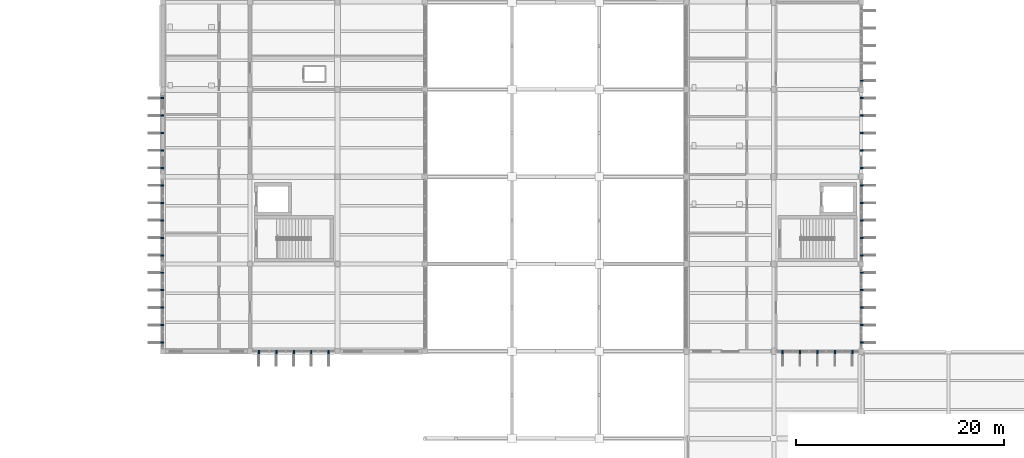
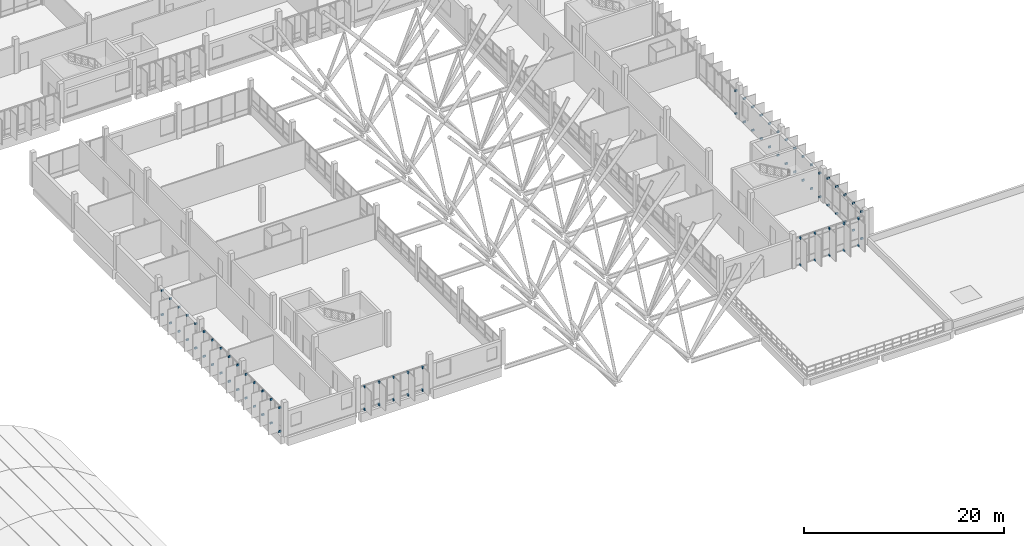
# One storey, part 99 of 107: 82 discrete accessories.
"""IFC4 building model written with IfcOpenShell, lengths in metres."""

from ifc_helpers import new_model, si_unit, direction, frame, origin, origin_2d, place, context, subcontext, project, spatial, rectangle, extrude, material, type_object, element, save


model = new_model("IFC4")

# Units and contexts
model_context = context("Model", 3, precision=1e-05, world=origin(), true_north=direction((0.0, 1.0)))
body_context = subcontext(model_context, "Body", "Model", "MODEL_VIEW")
ifc_project = project(units=[si_unit("LENGTHUNIT", "METRE"), si_unit("AREAUNIT", "SQUARE_METRE"), si_unit("VOLUMEUNIT", "CUBIC_METRE"), si_unit("PLANEANGLEUNIT", "RADIAN"), si_unit("MASSUNIT", "GRAM", prefix="KILO")], contexts=[model_context])

# Site, building, storey
site_placement = place(None, origin())
site = spatial("IfcSite", under=ifc_project, at=site_placement, CompositionType="ELEMENT")
building_placement = place(site_placement, origin())
building = spatial("IfcBuilding", under=site, at=building_placement, Name="Vireocrest Preparatory School", CompositionType="ELEMENT")
storey_placement = place(building_placement, frame((0.0, 0.0, 13.199951171875)))
storey = spatial("IfcBuildingStorey", under=building, at=storey_placement, Name="L03", CompositionType="ELEMENT", Elevation=13.199951171875)

# Discrete accessories
ifc_material = material(Name="Structural steel ASTM A572 Grade 50", Category="steel")
discrete_accessory_type = type_object("IfcDiscreteAccessoryType", Name="Slab-Edge Steel Outrigger Fin Bracket", PredefinedType="BRACKET", material=ifc_material)
for number, where, z_axis, x_axis, name in (
    (1, (41.929931640625, 36.239990234375, -0.08984375), (0.0, 0.0, 1.0), (0.0, 1.0, 0.0), "Solar Fin Outrigger Bracket BK1 L03-36-1-BOT"),
    (2, (41.929931640625, 36.239990234375, 2.81005859375), (0.0, 0.0, 1.0), (0.0, 1.0, 0.0), "Solar Fin Outrigger Bracket BK1 L03-36-1-TOP"),
    (3, (41.929931640625, 37.919921875, -0.08984375), (0.0, 0.0, 1.0), (0.0, 1.0, 0.0), "Solar Fin Outrigger Bracket BK1 L03-36-2-BOT"),
    (4, (41.929931640625, 37.919921875, 2.81005859375), (0.0, 0.0, 1.0), (0.0, 1.0, 0.0), "Solar Fin Outrigger Bracket BK1 L03-36-2-TOP"),
    (5, (41.929931640625, 39.60009765625, -0.08984375), (0.0, 0.0, 1.0), (0.0, 1.0, 0.0), "Solar Fin Outrigger Bracket BK1 L03-36-3-BOT"),
    (6, (41.929931640625, 39.60009765625, 2.81005859375), (0.0, 0.0, 1.0), (0.0, 1.0, 0.0), "Solar Fin Outrigger Bracket BK1 L03-36-3-TOP"),
    (7, (41.929931640625, 41.280029296875, -0.08984375), (0.0, 0.0, 1.0), (0.0, 1.0, 0.0), "Solar Fin Outrigger Bracket BK1 L03-36-4-BOT"),
    (8, (41.929931640625, 41.280029296875, 2.81005859375), (0.0, 0.0, 1.0), (0.0, 1.0, 0.0), "Solar Fin Outrigger Bracket BK1 L03-36-4-TOP"),
    (9, (41.929931640625, 42.9599609375, -0.08984375), (0.0, 0.0, 1.0), (0.0, 1.0, 0.0), "Solar Fin Outrigger Bracket BK1 L03-36-5-BOT"),
    (10, (41.929931640625, 42.9599609375, 2.81005859375), (0.0, 0.0, 1.0), (0.0, 1.0, 0.0), "Solar Fin Outrigger Bracket BK1 L03-36-5-TOP"),
    (11, (41.929931640625, 44.639892578125, -0.08984375), (0.0, 0.0, 1.0), (0.0, 1.0, 0.0), "Solar Fin Outrigger Bracket BK1 L03-37-1-BOT"),
    (12, (41.929931640625, 44.639892578125, 2.93994140625), (0.0, 0.0, 1.0), (0.0, 1.0, 0.0), "Solar Fin Outrigger Bracket BK1 L03-37-1-TOP"),
    (13, (41.929931640625, 46.320068359375, -0.08984375), (0.0, 0.0, 1.0), (0.0, 1.0, 0.0), "Solar Fin Outrigger Bracket BK1 L03-37-2-BOT"),
    (14, (41.929931640625, 46.320068359375, 2.93994140625), (0.0, 0.0, 1.0), (0.0, 1.0, 0.0), "Solar Fin Outrigger Bracket BK1 L03-37-2-TOP"),
    (15, (41.929931640625, 48.0, -0.08984375), (0.0, 0.0, 1.0), (0.0, 1.0, 0.0), "Solar Fin Outrigger Bracket BK1 L03-37-3-BOT"),
    (16, (41.929931640625, 48.0, 2.93994140625), (0.0, 0.0, 1.0), (0.0, 1.0, 0.0), "Solar Fin Outrigger Bracket BK1 L03-37-3-TOP"),
    (17, (41.929931640625, 49.679931640625, -0.08984375), (0.0, 0.0, 1.0), (0.0, 1.0, 0.0), "Solar Fin Outrigger Bracket BK1 L03-37-4-BOT"),
    (18, (41.929931640625, 49.679931640625, 2.93994140625), (0.0, 0.0, 1.0), (0.0, 1.0, 0.0), "Solar Fin Outrigger Bracket BK1 L03-37-4-TOP"),
    (19, (41.929931640625, 51.360107421875, -0.08984375), (0.0, 0.0, 1.0), (0.0, 1.0, 0.0), "Solar Fin Outrigger Bracket BK1 L03-37-5-BOT"),
    (20, (41.929931640625, 51.360107421875, 2.93994140625), (0.0, 0.0, 1.0), (0.0, 1.0, 0.0), "Solar Fin Outrigger Bracket BK1 L03-37-5-TOP"),
    (21, (41.929931640625, 53.0400390625, -0.08984375), (0.0, 0.0, 1.0), (0.0, 1.0, 0.0), "Solar Fin Outrigger Bracket BK1 L03-38-1-BOT"),
    (22, (41.929931640625, 53.0400390625, 2.89013671875), (0.0, 0.0, 1.0), (0.0, 1.0, 0.0), "Solar Fin Outrigger Bracket BK1 L03-38-1-TOP"),
    (23, (41.929931640625, 54.719970703125, -0.08984375), (0.0, 0.0, 1.0), (0.0, 1.0, 0.0), "Solar Fin Outrigger Bracket BK1 L03-38-2-BOT"),
    (24, (41.929931640625, 54.719970703125, 2.89013671875), (0.0, 0.0, 1.0), (0.0, 1.0, 0.0), "Solar Fin Outrigger Bracket BK1 L03-38-2-TOP"),
    (25, (41.929931640625, 56.39990234375, -0.08984375), (0.0, 0.0, 1.0), (0.0, 1.0, 0.0), "Solar Fin Outrigger Bracket BK1 L03-38-3-BOT"),
    (26, (41.929931640625, 56.39990234375, 2.89013671875), (0.0, 0.0, 1.0), (0.0, 1.0, 0.0), "Solar Fin Outrigger Bracket BK1 L03-38-3-TOP"),
    (27, (41.929931640625, 58.080078125, -0.08984375), (0.0, 0.0, 1.0), (0.0, 1.0, 0.0), "Solar Fin Outrigger Bracket BK1 L03-38-4-BOT"),
    (28, (41.929931640625, 58.080078125, 2.89013671875), (0.0, 0.0, 1.0), (0.0, 1.0, 0.0), "Solar Fin Outrigger Bracket BK1 L03-38-4-TOP"),
    (29, (41.929931640625, 59.760009765625, -0.08984375), (0.0, 0.0, 1.0), (0.0, 1.0, 0.0), "Solar Fin Outrigger Bracket BK1 L03-38-5-BOT"),
    (30, (41.929931640625, 59.760009765625, 2.89013671875), (0.0, 0.0, 1.0), (0.0, 1.0, 0.0), "Solar Fin Outrigger Bracket BK1 L03-38-5-TOP"),
    (31, (51.239990234375, 35.330078125, -0.08984375), (0.0, 0.0, 1.0), (-1.0, 0.0, 0.0), "Solar Fin Outrigger Bracket BK1 L03-39-1-BOT"),
    (32, (51.239990234375, 35.330078125, 2.66015625), (0.0, 0.0, 1.0), (-1.0, 0.0, 0.0), "Solar Fin Outrigger Bracket BK1 L03-39-1-TOP"),
    (33, (52.919921875, 35.330078125, -0.08984375), (0.0, 0.0, 1.0), (-1.0, 0.0, 0.0), "Solar Fin Outrigger Bracket BK1 L03-39-2-BOT"),
    (34, (52.919921875, 35.330078125, 2.66015625), (0.0, 0.0, 1.0), (-1.0, 0.0, 0.0), "Solar Fin Outrigger Bracket BK1 L03-39-2-TOP"),
    (35, (54.60009765625, 35.330078125, -0.08984375), (0.0, 0.0, 1.0), (-1.0, 0.0, 0.0), "Solar Fin Outrigger Bracket BK1 L03-39-3-BOT"),
    (36, (54.60009765625, 35.330078125, 2.66015625), (0.0, 0.0, 1.0), (-1.0, 0.0, 0.0), "Solar Fin Outrigger Bracket BK1 L03-39-3-TOP"),
    (37, (56.280029296875, 35.330078125, -0.08984375), (0.0, 0.0, 1.0), (-1.0, 0.0, 0.0), "Solar Fin Outrigger Bracket BK1 L03-39-4-BOT"),
    (38, (56.280029296875, 35.330078125, 2.66015625), (0.0, 0.0, 1.0), (-1.0, 0.0, 0.0), "Solar Fin Outrigger Bracket BK1 L03-39-4-TOP"),
    (39, (57.9599609375, 35.330078125, -0.08984375), (0.0, 0.0, 1.0), (-1.0, 0.0, 0.0), "Solar Fin Outrigger Bracket BK1 L03-39-5-BOT"),
    (40, (57.9599609375, 35.330078125, 2.66015625), (0.0, 0.0, 1.0), (-1.0, 0.0, 0.0), "Solar Fin Outrigger Bracket BK1 L03-39-5-TOP"),
    (41, (101.639892578125, 35.330078125, -0.08984375), (0.0, 0.0, 1.0), (-1.0, 0.0, 0.0), "Solar Fin Outrigger Bracket BK1 L03-45-1-BOT"),
    (42, (101.639892578125, 35.330078125, 3.2099609375), (0.0, 0.0, 1.0), (-1.0, 0.0, 0.0), "Solar Fin Outrigger Bracket BK1 L03-45-1-TOP"),
    (43, (103.320068359375, 35.330078125, -0.08984375), (0.0, 0.0, 1.0), (-1.0, 0.0, 0.0), "Solar Fin Outrigger Bracket BK1 L03-45-2-BOT"),
    (44, (103.320068359375, 35.330078125, 3.2099609375), (0.0, 0.0, 1.0), (-1.0, 0.0, 0.0), "Solar Fin Outrigger Bracket BK1 L03-45-2-TOP"),
    (45, (105.0, 35.330078125, -0.08984375), (0.0, 0.0, 1.0), (-1.0, 0.0, 0.0), "Solar Fin Outrigger Bracket BK1 L03-45-3-BOT"),
    (46, (105.0, 35.330078125, 3.2099609375), (0.0, 0.0, 1.0), (-1.0, 0.0, 0.0), "Solar Fin Outrigger Bracket BK1 L03-45-3-TOP"),
    (47, (106.679931640625, 35.330078125, -0.08984375), (0.0, 0.0, 1.0), (-1.0, 0.0, 0.0), "Solar Fin Outrigger Bracket BK1 L03-45-4-BOT"),
    (48, (106.679931640625, 35.330078125, 3.2099609375), (0.0, 0.0, 1.0), (-1.0, 0.0, 0.0), "Solar Fin Outrigger Bracket BK1 L03-45-4-TOP"),
    (49, (108.360107421875, 35.330078125, -0.08984375), (0.0, 0.0, 1.0), (-1.0, 0.0, 0.0), "Solar Fin Outrigger Bracket BK1 L03-45-5-BOT"),
    (50, (108.360107421875, 35.330078125, 3.2099609375), (0.0, 0.0, 1.0), (-1.0, 0.0, 0.0), "Solar Fin Outrigger Bracket BK1 L03-45-5-TOP"),
    (51, (109.27001953125, 36.239990234375, -0.08984375), (0.0, 0.0, 1.0), (0.0, -1.0, 0.0), "Solar Fin Outrigger Bracket BK1 L03-46-1-BOT"),
    (52, (109.27001953125, 36.239990234375, 3.2099609375), (0.0, 0.0, 1.0), (0.0, -1.0, 0.0), "Solar Fin Outrigger Bracket BK1 L03-46-1-TOP"),
    (53, (109.27001953125, 37.919921875, -0.08984375), (0.0, 0.0, 1.0), (0.0, -1.0, 0.0), "Solar Fin Outrigger Bracket BK1 L03-46-2-BOT"),
    (54, (109.27001953125, 37.919921875, 3.2099609375), (0.0, 0.0, 1.0), (0.0, -1.0, 0.0), "Solar Fin Outrigger Bracket BK1 L03-46-2-TOP"),
    (55, (109.27001953125, 39.60009765625, -0.08984375), (0.0, 0.0, 1.0), (0.0, -1.0, 0.0), "Solar Fin Outrigger Bracket BK1 L03-46-3-BOT"),
    (56, (109.27001953125, 39.60009765625, 3.2099609375), (0.0, 0.0, 1.0), (0.0, -1.0, 0.0), "Solar Fin Outrigger Bracket BK1 L03-46-3-TOP"),
    (57, (109.27001953125, 41.280029296875, -0.08984375), (0.0, 0.0, 1.0), (0.0, -1.0, 0.0), "Solar Fin Outrigger Bracket BK1 L03-46-4-BOT"),
    (58, (109.27001953125, 41.280029296875, 3.2099609375), (0.0, 0.0, 1.0), (0.0, -1.0, 0.0), "Solar Fin Outrigger Bracket BK1 L03-46-4-TOP"),
    (59, (109.27001953125, 42.9599609375, -0.08984375), (0.0, 0.0, 1.0), (0.0, -1.0, 0.0), "Solar Fin Outrigger Bracket BK1 L03-46-5-BOT"),
    (60, (109.27001953125, 42.9599609375, 3.2099609375), (0.0, 0.0, 1.0), (0.0, -1.0, 0.0), "Solar Fin Outrigger Bracket BK1 L03-46-5-TOP"),
    (61, (109.27001953125, 44.639892578125, -0.08984375), (0.0, 0.0, 1.0), (0.0, -1.0, 0.0), "Solar Fin Outrigger Bracket BK1 L03-47-1-BOT"),
    (62, (109.27001953125, 44.639892578125, 2.81982421875), (0.0, 0.0, 1.0), (0.0, -1.0, 0.0), "Solar Fin Outrigger Bracket BK1 L03-47-1-TOP"),
    (63, (109.27001953125, 46.320068359375, -0.08984375), (0.0, 0.0, 1.0), (0.0, -1.0, 0.0), "Solar Fin Outrigger Bracket BK1 L03-47-2-BOT"),
    (64, (109.27001953125, 46.320068359375, 2.81982421875), (0.0, 0.0, 1.0), (0.0, -1.0, 0.0), "Solar Fin Outrigger Bracket BK1 L03-47-2-TOP"),
    (65, (109.27001953125, 48.0, -0.08984375), (0.0, 0.0, 1.0), (0.0, -1.0, 0.0), "Solar Fin Outrigger Bracket BK1 L03-47-3-BOT"),
    (66, (109.27001953125, 48.0, 2.81982421875), (0.0, 0.0, 1.0), (0.0, -1.0, 0.0), "Solar Fin Outrigger Bracket BK1 L03-47-3-TOP"),
    (67, (109.27001953125, 49.679931640625, -0.08984375), (0.0, 0.0, 1.0), (0.0, -1.0, 0.0), "Solar Fin Outrigger Bracket BK1 L03-47-4-BOT"),
    (68, (109.27001953125, 49.679931640625, 2.81982421875), (0.0, 0.0, 1.0), (0.0, -1.0, 0.0), "Solar Fin Outrigger Bracket BK1 L03-47-4-TOP"),
    (69, (109.27001953125, 51.360107421875, -0.08984375), (0.0, 0.0, 1.0), (0.0, -1.0, 0.0), "Solar Fin Outrigger Bracket BK1 L03-47-5-BOT"),
    (70, (109.27001953125, 51.360107421875, 2.81982421875), (0.0, 0.0, 1.0), (0.0, -1.0, 0.0), "Solar Fin Outrigger Bracket BK1 L03-47-5-TOP"),
    (71, (109.27001953125, 53.0400390625, -0.08984375), (0.0, 0.0, 1.0), (0.0, -1.0, 0.0), "Solar Fin Outrigger Bracket BK1 L03-48-1-BOT"),
    (72, (109.27001953125, 53.0400390625, 2.77001953125), (0.0, 0.0, 1.0), (0.0, -1.0, 0.0), "Solar Fin Outrigger Bracket BK1 L03-48-1-TOP"),
    (73, (109.27001953125, 54.719970703125, -0.08984375), (0.0, 0.0, 1.0), (0.0, -1.0, 0.0), "Solar Fin Outrigger Bracket BK1 L03-48-2-BOT"),
    (74, (109.27001953125, 54.719970703125, 2.77001953125), (0.0, 0.0, 1.0), (0.0, -1.0, 0.0), "Solar Fin Outrigger Bracket BK1 L03-48-2-TOP"),
    (75, (109.27001953125, 56.39990234375, -0.08984375), (0.0, 0.0, 1.0), (0.0, -1.0, 0.0), "Solar Fin Outrigger Bracket BK1 L03-48-3-BOT"),
    (76, (109.27001953125, 56.39990234375, 2.77001953125), (0.0, 0.0, 1.0), (0.0, -1.0, 0.0), "Solar Fin Outrigger Bracket BK1 L03-48-3-TOP"),
    (77, (109.27001953125, 58.080078125, -0.08984375), (0.0, 0.0, 1.0), (0.0, -1.0, 0.0), "Solar Fin Outrigger Bracket BK1 L03-48-4-BOT"),
    (78, (109.27001953125, 58.080078125, 2.77001953125), (0.0, 0.0, 1.0), (0.0, -1.0, 0.0), "Solar Fin Outrigger Bracket BK1 L03-48-4-TOP"),
    (79, (109.27001953125, 59.760009765625, -0.08984375), (0.0, 0.0, 1.0), (0.0, -1.0, 0.0), "Solar Fin Outrigger Bracket BK1 L03-48-5-BOT"),
    (80, (109.27001953125, 59.760009765625, 2.77001953125), (0.0, 0.0, 1.0), (0.0, -1.0, 0.0), "Solar Fin Outrigger Bracket BK1 L03-48-5-TOP"),
    (81, (109.27001953125, 61.43994140625, -0.08984375), (0.0, 0.0, 1.0), (0.0, -1.0, 0.0), "Solar Fin Outrigger Bracket BK1 L03-49-1-BOT"),
    (82, (109.27001953125, 61.43994140625, 2.72021484375), (0.0, 0.0, 1.0), (0.0, -1.0, 0.0), "Solar Fin Outrigger Bracket BK1 L03-49-1-TOP"),
):
    element("IfcDiscreteAccessory", number, at=place(storey_placement, frame(where, z_axis=z_axis, x_axis=x_axis)), inside=storey, type_object=discrete_accessory_type, Name=name, PredefinedType="BRACKET", context=body_context, shape_type="SweptSolid", body=[
        extrude(rectangle(XDim=0.139892578125, YDim=0.300048828125, at=origin_2d()), origin(), (0.0, 0.0, 1.0), 0.219970703125),
    ])

save(model, "model.ifc")
